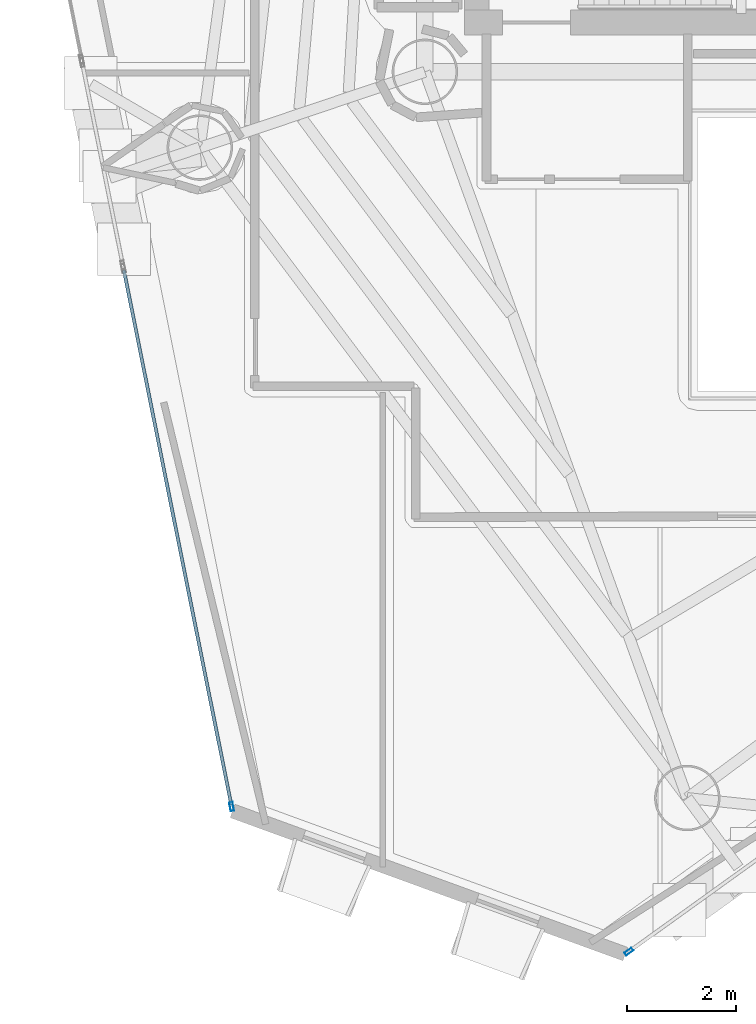
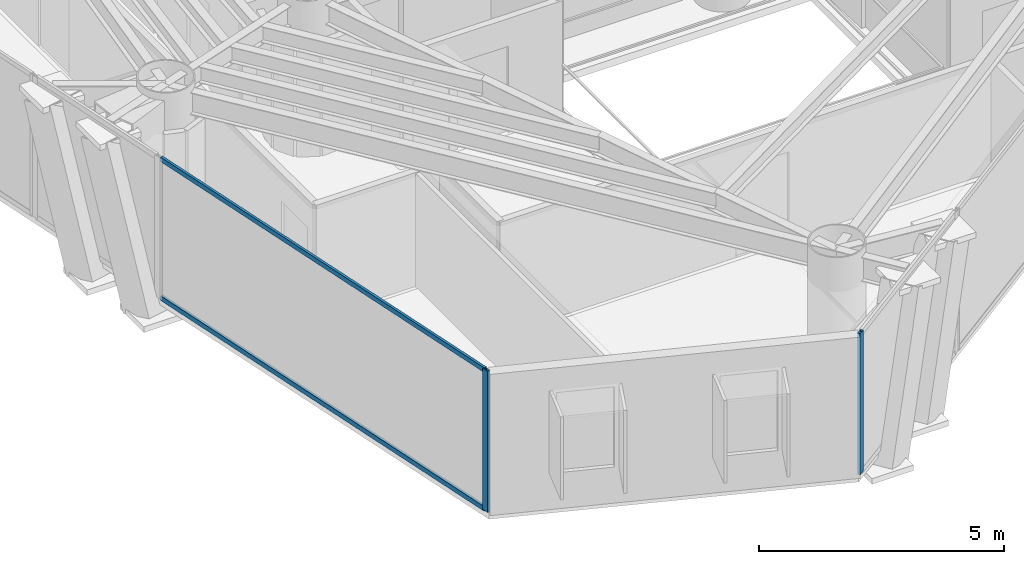
# One storey, part 2 of 22: 4 members, 2 elements without a shape of their own.
"""IFC4 building model written with IfcOpenShell, lengths in metres."""

import ifcopenshell
import ifcopenshell.guid

model = None  # the IFC model being written
_history = None  # IfcOwnerHistory: only IFC2X3 demands one
_inside = {}  # id of a spatial element -> (the spatial element, [elements in it])
_under = {}  # id of a project, library or spatial element -> (it, [spatial elements below it])
_declared = {}  # id of a project -> (the project, [libraries it declares])
_typed = {}  # id of a type object -> (the type object, [elements of that type])
_made_of = {}  # id of a material, layer set ... -> (it, [elements and type objects made of it])


def new_model(schema):
    """Start an empty IFC model of exactly this schema.

    Asked for "IFC4X3", IfcOpenShell would pick the latest addendum, in which some entities
    have other attributes; the version numbers below select the first issue.
    IFC2X3 requires an IfcOwnerHistory on every rooted entity: one is made here for all.
    """
    global model, _history
    if schema == "IFC4X3":
        model = ifcopenshell.file(schema_version=(4, 3, 0, 0))
    else:
        model = ifcopenshell.file(schema=schema)
    _inside.clear()
    _under.clear()
    _declared.clear()
    _typed.clear()
    _made_of.clear()
    _history = None
    if model.schema == "IFC2X3":
        org = make("IfcOrganization", Name="unknown")
        user = make(
            "IfcPersonAndOrganization",
            ThePerson=make("IfcPerson", FamilyName="unknown"),
            TheOrganization=org,
        )
        app = make(
            "IfcApplication",
            ApplicationDeveloper=org,
            Version="unknown",
            ApplicationFullName="unknown",
            ApplicationIdentifier="unknown",
        )
        _history = make(
            "IfcOwnerHistory",
            OwningUser=user,
            OwningApplication=app,
            ChangeAction="ADDED",
            CreationDate=0,
        )
    return model


def make(cls, **values):
    """One entity of the class cls with the attributes given. An attribute that is None is left unset."""
    return model.create_entity(
        cls, **{name: value for name, value in values.items() if value is not None}
    )


def rooted(cls, **values):
    """An entity with a GlobalId (a new one), such as an element, a storey or a relation."""
    return make(cls, GlobalId=ifcopenshell.guid.new(), OwnerHistory=_history, **values)


def si_unit(unit_type, name, prefix=None):
    """IfcSIUnit, for example si_unit("LENGTHUNIT", "METRE", prefix="MILLI")."""
    return make("IfcSIUnit", UnitType=unit_type, Prefix=prefix, Name=name)


def assignment(units):
    """IfcUnitAssignment: the units of a project."""
    return None if units is None else make("IfcUnitAssignment", Units=units)


def point(xyz):
    """IfcCartesianPoint."""
    return None if xyz is None else make("IfcCartesianPoint", Coordinates=xyz)


def direction(xyz):
    """IfcDirection."""
    return None if xyz is None else make("IfcDirection", DirectionRatios=xyz)


def frame(location, z_axis=None, x_axis=None):
    """IfcAxis2Placement3D, a coordinate frame: its origin and axes. An axis left out is left unset."""
    return make(
        "IfcAxis2Placement3D",
        Location=point(location),
        Axis=direction(z_axis),
        RefDirection=direction(x_axis),
    )


def frame_2d(location, x_axis=None):
    """IfcAxis2Placement2D, a coordinate frame in the plane: its origin and x axis."""
    return make(
        "IfcAxis2Placement2D", Location=point(location), RefDirection=direction(x_axis)
    )


def origin():
    """The frame at (0, 0, 0) with its axes left unset."""
    return frame((0.0, 0.0, 0.0))


def origin_2d():
    """The frame at (0, 0) in the plane with its x axis left unset."""
    return frame_2d((0.0, 0.0))


def place(relative_to, where):
    """IfcLocalPlacement: puts the frame where relative to a parent placement (None: the world)."""
    return make(
        "IfcLocalPlacement", PlacementRelTo=relative_to, RelativePlacement=where
    )


def context(
    kind, dimensions, precision=None, world=None, true_north=None, identifier=None
):
    """IfcGeometricRepresentationContext, for example the 3D "Model" context."""
    return make(
        "IfcGeometricRepresentationContext",
        ContextIdentifier=identifier,
        ContextType=kind,
        CoordinateSpaceDimension=dimensions,
        Precision=precision,
        WorldCoordinateSystem=world,
        TrueNorth=true_north,
    )


def subcontext(parent, identifier, kind, view, scale=None):
    """IfcGeometricRepresentationSubContext, for example "Body" below "Model"."""
    return make(
        "IfcGeometricRepresentationSubContext",
        ContextIdentifier=identifier,
        ContextType=kind,
        ParentContext=parent,
        TargetScale=scale,
        TargetView=view,
    )


def project(units=None, contexts=None):
    """IfcProject with its units and contexts."""
    return rooted(
        "IfcProject",
        Name="project",
        RepresentationContexts=contexts,
        UnitsInContext=assignment(units),
    )


def spatial(cls, under=None, at=None, **own):
    """A site, building, storey or space (cls), placed at a placement, below another one or the project."""
    s = rooted(cls, ObjectPlacement=at, **own)
    if under is not None:
        _under.setdefault(under.id(), (under, []))[1].append(s)
    return s


def profile(cls, at=None, kind="AREA", **sizes):
    """A parametric profile (cls). Its sizes go by their IFC names, for example OverallWidth=200.0."""
    return make(cls, ProfileType=kind, Position=at, **sizes)


def hollow_rectangle(**sizes):
    """IfcRectangleHollowProfileDef."""
    return profile("IfcRectangleHollowProfileDef", **sizes)


def extrude(swept, where, along, depth):
    """IfcExtrudedAreaSolid: the profile swept, set in the frame where, extruded along a direction by depth."""
    return make(
        "IfcExtrudedAreaSolid",
        SweptArea=swept,
        Position=where,
        ExtrudedDirection=direction(along),
        Depth=depth,
    )


def shape(context_of_items, identifier, shape_type, items):
    """IfcShapeRepresentation: the items that make up one representation, for example the "Body"."""
    return make(
        "IfcShapeRepresentation",
        ContextOfItems=context_of_items,
        RepresentationIdentifier=identifier,
        RepresentationType=shape_type,
        Items=items,
    )


def material(Name=None, Category=None):
    """IfcMaterial."""
    return make("IfcMaterial", Name=Name, Category=Category)


def layer(
    of_material, thickness, ventilated=None, Name=None, Category=None, Priority=None
):
    """IfcMaterialLayer: one layer of a wall or slab, of a material (None: an air gap)."""
    return make(
        "IfcMaterialLayer",
        Material=of_material,
        LayerThickness=thickness,
        IsVentilated=ventilated,
        Name=Name,
        Category=Category,
        Priority=Priority,
    )


def layer_set(layers, Name=None):
    """IfcMaterialLayerSet."""
    return make("IfcMaterialLayerSet", MaterialLayers=layers, LayerSetName=Name)


def material_profile(
    of_material, cross_section, Name=None, Category=None, Priority=None
):
    """IfcMaterialProfile: a cross section and its material."""
    return make(
        "IfcMaterialProfile",
        Name=Name,
        Material=of_material,
        Profile=cross_section,
        Priority=Priority,
        Category=Category,
    )


def profile_set(profiles, Name=None, composite=None):
    """IfcMaterialProfileSet."""
    return make(
        "IfcMaterialProfileSet",
        Name=Name,
        MaterialProfiles=profiles,
        CompositeProfile=composite,
    )


def made_of(thing, what):
    """Note that an element or type object is made of a material, layer set ...; save() writes the relation."""
    if what is not None:
        _made_of.setdefault(what.id(), (what, []))[1].append(thing)
    return thing


def type_object(cls, material=None, **own):
    """A type object (cls), such as IfcWallType, which elements share."""
    return made_of(rooted(cls, **own), material)


def element(
    cls,
    number,
    at=None,
    inside=None,
    cuts=None,
    type_object=None,
    material=None,
    context=None,
    identifier="Body",
    shape_type=None,
    held_by="IfcProductDefinitionShape",
    body=None,
    shapes=None,
    **own,
):
    """One element of the class cls, such as IfcWall. Its Tag is "e" and its number.

    at: its placement. inside: the storey or other place that contains it. cuts: it is an
    opening in that element (IfcRelVoidsElement). A single representation is given by context,
    identifier, shape_type and body (its items); several are given by shapes. held_by: the class
    of the entity that holds the representations. save() writes the other relations.
    """
    e = rooted(cls, Tag="e%d" % number, ObjectPlacement=at, **own)
    if body is not None:
        shapes = [shape(context, identifier, shape_type, body)]
    if shapes is not None:
        e.Representation = make(held_by, Representations=shapes)
    if inside is not None:
        _inside.setdefault(inside.id(), (inside, []))[1].append(e)
    if cuts is not None:
        rooted(
            "IfcRelVoidsElement", RelatingBuildingElement=cuts, RelatedOpeningElement=e
        )
    if type_object is not None:
        _typed.setdefault(type_object.id(), (type_object, []))[1].append(e)
    return made_of(e, material)


def aggregate(whole, parts):
    """IfcRelAggregates: a whole, such as a stair, and the parts it consists of."""
    return rooted("IfcRelAggregates", RelatingObject=whole, RelatedObjects=parts)


def save(model, path):
    """Write the relations noted so far, then the file.

    IfcRelAggregates (storeys below a building ...), IfcRelContainedInSpatialStructure (elements
    in a storey), IfcRelDefinesByType, IfcRelAssociatesMaterial and IfcRelDeclares: one each for
    every whole, place, type object, material and project.
    """
    for whole, parts in _under.values():
        aggregate(whole, parts)
    for where, things in _inside.values():
        rooted(
            "IfcRelContainedInSpatialStructure",
            RelatedElements=things,
            RelatingStructure=where,
        )
    for kind, things in _typed.values():
        rooted("IfcRelDefinesByType", RelatedObjects=things, RelatingType=kind)
    for what, things in _made_of.values():
        rooted("IfcRelAssociatesMaterial", RelatedObjects=things, RelatingMaterial=what)
    for by, libraries in _declared.values():
        rooted("IfcRelDeclares", RelatingContext=by, RelatedDefinitions=libraries)
    model.write(path)


model = new_model("IFC4")

# Units and contexts
model_context = context("Model", 3, precision=1e-05, world=origin(), true_north=direction((0.0, 1.0)))
body_context = subcontext(model_context, "Body", "Model", "MODEL_VIEW")
ifc_project = project(units=[si_unit("LENGTHUNIT", "METRE"), si_unit("AREAUNIT", "SQUARE_METRE"), si_unit("VOLUMEUNIT", "CUBIC_METRE"), si_unit("PLANEANGLEUNIT", "RADIAN"), si_unit("MASSUNIT", "GRAM", prefix="KILO")], contexts=[model_context])

# Site, building, storey
site_placement = place(None, origin())
site = spatial("IfcSite", under=ifc_project, at=site_placement, CompositionType="ELEMENT")
building_placement = place(site_placement, origin())
building = spatial("IfcBuilding", under=site, at=building_placement, Name="Qianvela Tower", CompositionType="ELEMENT")
storey_placement = place(building_placement, frame((0.0, 0.0, 204.0)))
storey = spatial("IfcBuildingStorey", under=building, at=storey_placement, Name="L52", CompositionType="ELEMENT", Elevation=204.0)

# Curtain wall, member
ifc_material_1 = material(Name="Anodised Architectural Aluminium and Insulated Spandrel Panel", Category="aluminium")
ifc_layer_1 = layer(ifc_material_1, 0.179931640625)
ifc_layer_set_1 = layer_set([ifc_layer_1], Name="Anodised Architectural Aluminium and Insulated Spandrel Panel")
curtain_wall_type_1 = type_object("IfcCurtainWallType", Name="CW-BRACEBAY", PredefinedType="USERDEFINED", material=ifc_layer_set_1)
curtain_wall_1_placement = place(storey_placement, origin())
curtain_wall_1 = element("IfcCurtainWall", 1, at=curtain_wall_1_placement, inside=storey, type_object=curtain_wall_type_1, Name="L52 CW-BRACEBAY Curtain Wall 06A", ObjectType="CURTAIN_WALL_SYSTEM", PredefinedType="USERDEFINED")
ifc_material_2 = material(Name="Anodised Architectural Aluminium 6063-T6", Category="aluminium")
ifc_material_profile_1 = material_profile(ifc_material_2, hollow_rectangle(XDim=0.06494140625, YDim=0.159912109375, WallThickness=0.0048828125, at=origin_2d()), Name="ALU-MULL-65x160")
ifc_profile_set_1 = profile_set([ifc_material_profile_1], Name="Anodised Architectural Aluminium 6063-T6")
member_type_1 = type_object("IfcMemberType", Name="CW-BRACEBAY-MULL", PredefinedType="MULLION", material=ifc_profile_set_1)
member_1_placement = place(storey_placement, frame((32.343505859375, 7.715087890625, 0.0), z_axis=(0.0, 0.0, 1.0), x_axis=(-0.58371639372, 0.811957616937, 0.0)))
member_1 = element("IfcMember", 2, at=member_1_placement, type_object=member_type_1, Name="CW-9 mullion 1", PredefinedType="MULLION", context=body_context, shape_type="SweptSolid", body=[
    extrude(hollow_rectangle(XDim=0.06494140625, YDim=0.159912109375, WallThickness=0.0048828125, at=origin_2d()), origin(), (0.0, 0.0, 1.0), 3.52001953125),
])
aggregate(curtain_wall_1, [member_1])

# Curtain wall, members
ifc_material_3 = material(Name="Anodised Architectural Aluminium and Low-E Glass", Category="aluminium")
ifc_layer_2 = layer(ifc_material_3, 0.159912109375)
ifc_layer_set_2 = layer_set([ifc_layer_2], Name="Anodised Architectural Aluminium and Low-E Glass")
curtain_wall_type_2 = type_object("IfcCurtainWallType", Name="CW-COLIV-Z56", PredefinedType="USERDEFINED", material=ifc_layer_set_2)
curtain_wall_2_placement = place(storey_placement, origin())
curtain_wall_2 = element("IfcCurtainWall", 3, at=curtain_wall_2_placement, inside=storey, type_object=curtain_wall_type_2, Name="L52 CW-COLIV-Z56 Curtain Wall 04C", ObjectType="CURTAIN_WALL_SYSTEM", PredefinedType="USERDEFINED")
ifc_material_4 = material(Name="Anodised Architectural Aluminium 6063-T6", Category="aluminium")
ifc_material_profile_2 = material_profile(ifc_material_4, hollow_rectangle(XDim=0.06494140625, YDim=0.159912109375, WallThickness=0.0048828125, at=origin_2d()), Name="ALU-MULL-65x160")
ifc_profile_set_2 = profile_set([ifc_material_profile_2], Name="Anodised Architectural Aluminium 6063-T6")
member_type_2 = type_object("IfcMemberType", Name="CW-COLIV-Z56-MULL", PredefinedType="MULLION", material=ifc_profile_set_2)
member_2_placement = place(storey_placement, frame((25.05615234375, 10.373779296875, 0.0), z_axis=(0.0, 0.0, 1.0), x_axis=(0.980407975861, 0.19697766591, 0.0)))
member_2 = element("IfcMember", 4, at=member_2_placement, type_object=member_type_2, Name="CW-5 mullion 2", PredefinedType="MULLION", context=body_context, shape_type="SweptSolid", body=[
    extrude(hollow_rectangle(XDim=0.06494140625, YDim=0.159912109375, WallThickness=0.0048828125, at=origin_2d()), origin(), (0.0, 0.0, 1.0), 3.52001953125),
])
ifc_material_5 = material(Name="Anodised Architectural Aluminium 6063-T6", Category="aluminium")
ifc_material_profile_3 = material_profile(ifc_material_5, hollow_rectangle(XDim=0.06005859375, YDim=0.114990234375, WallThickness=0.00390625, at=origin_2d()), Name="ALU-TRAN-60x115")
ifc_profile_set_3 = profile_set([ifc_material_profile_3], Name="Anodised Architectural Aluminium 6063-T6")
member_type_3 = type_object("IfcMemberType", Name="CW-COLIV-Z56-TRAN", PredefinedType="USERDEFINED", material=ifc_profile_set_3)
member_3_placement = place(storey_placement, frame((23.079345703125, 20.212646484375, 0.030029296875), z_axis=(0.196984364231, -0.980406630051, 0.0), x_axis=(0.980406630051, 0.196984364231, 0.0)))
member_3 = element("IfcMember", 5, at=member_3_placement, type_object=member_type_3, Name="CW-5 transom 1.1", ObjectType="TRANSOM", PredefinedType="USERDEFINED", context=body_context, shape_type="SweptSolid", body=[
    extrude(hollow_rectangle(XDim=0.06005859375, YDim=0.114990234375, WallThickness=0.00390625, at=origin_2d()), origin(), (0.0, 0.0, 1.0), 10.003173828125),
])
member_4_placement = place(storey_placement, frame((23.079345703125, 20.212646484375, 3.489990234375), z_axis=(0.196984364231, -0.980406630051, 0.0), x_axis=(0.980406630051, 0.196984364231, 0.0)))
member_4 = element("IfcMember", 6, at=member_4_placement, type_object=member_type_3, Name="CW-5 transom 1.2", ObjectType="TRANSOM", PredefinedType="USERDEFINED", context=body_context, shape_type="SweptSolid", body=[
    extrude(hollow_rectangle(XDim=0.06005859375, YDim=0.114990234375, WallThickness=0.00390625, at=origin_2d()), origin(), (0.0, 0.0, 1.0), 10.003173828125),
])
aggregate(curtain_wall_2, [member_2, member_3, member_4])

save(model, "model.ifc")
